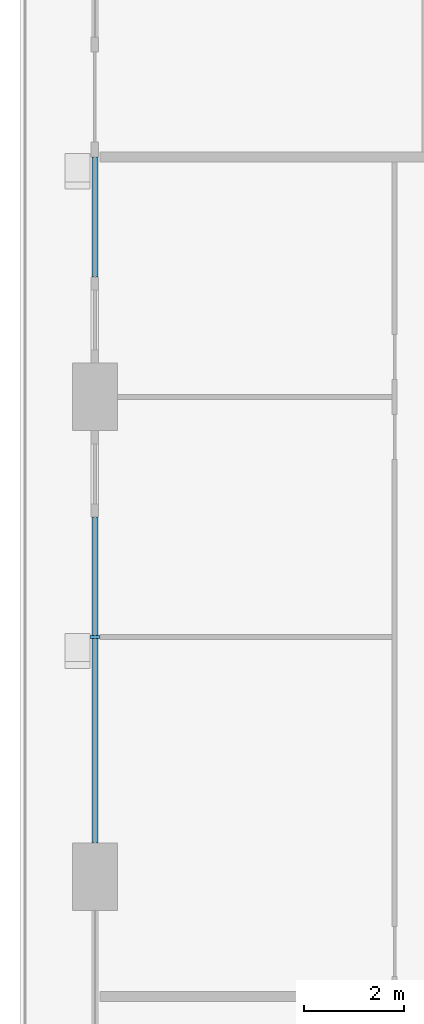
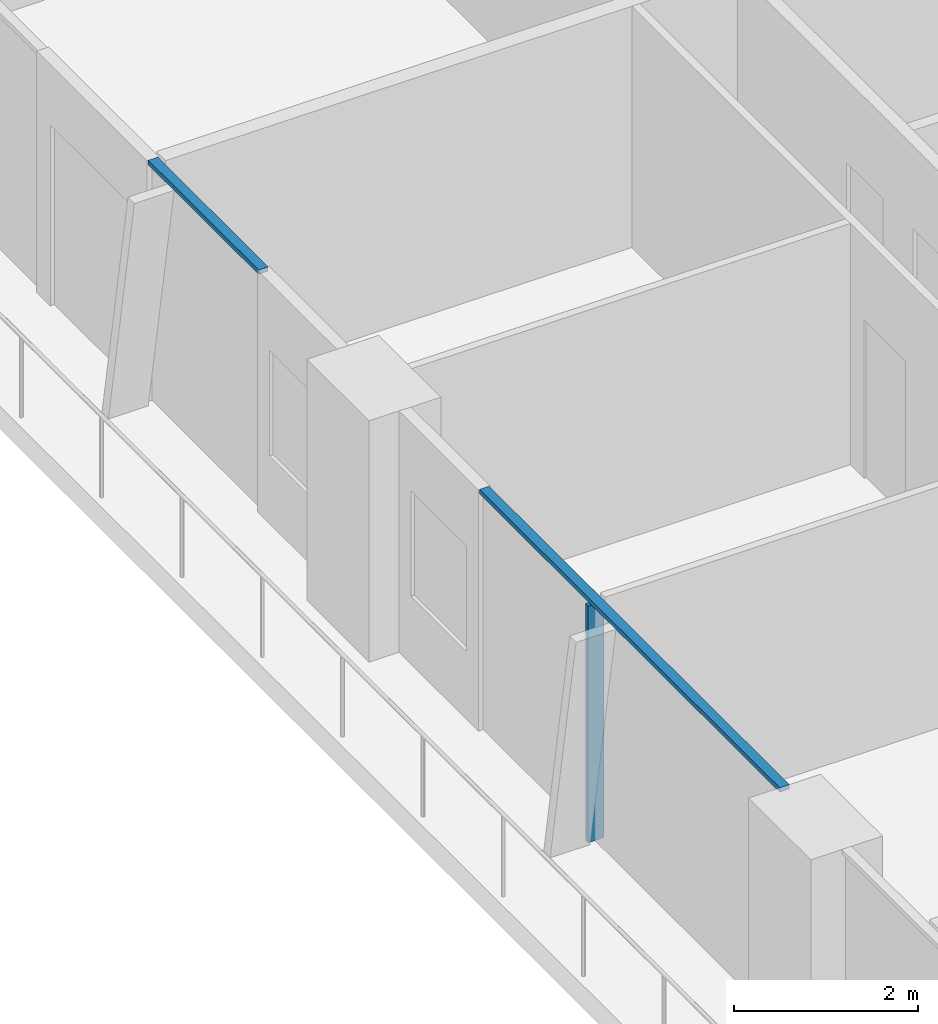
# One storey, part 3 of 21: 3 members, 2 elements without a shape of their own.
"""IFC4 building model written with IfcOpenShell, lengths in metres."""

from ifc_helpers import new_model, si_unit, direction, frame, origin, origin_2d, place, context, subcontext, project, spatial, rectangle, extrude, material, layer, layer_set, material_profile, profile_set, type_object, element, aggregate, save


model = new_model("IFC4")

# Units and contexts
model_context = context("Model", 3, precision=1e-05, world=origin(), true_north=direction((0.0, 1.0)))
body_context = subcontext(model_context, "Body", "Model", "MODEL_VIEW")
ifc_project = project(units=[si_unit("LENGTHUNIT", "METRE"), si_unit("AREAUNIT", "SQUARE_METRE"), si_unit("VOLUMEUNIT", "CUBIC_METRE"), si_unit("PLANEANGLEUNIT", "RADIAN"), si_unit("MASSUNIT", "GRAM", prefix="KILO")], contexts=[model_context])

# Site, building, storey
site_placement = place(None, origin())
site = spatial("IfcSite", under=ifc_project, at=site_placement, CompositionType="ELEMENT")
building_placement = place(site_placement, origin())
building = spatial("IfcBuilding", under=site, at=building_placement, Name="Madar Terraces", CompositionType="ELEMENT")
storey_placement = place(building_placement, frame((0.0, 0.0, 32.89990234375)))
storey = spatial("IfcBuildingStorey", under=building, at=storey_placement, Name="L07", CompositionType="ELEMENT", Elevation=32.89990234375)

# Curtain wall, member
ifc_material_1 = material(Name="Glass, ceramic frit dark grey, with black aluminium frame", Category="aluminium")
ifc_layer = layer(ifc_material_1, 0.199951171875)
ifc_layer_set = layer_set([ifc_layer], Name="Facade curtain wall, fritted glass")
curtain_wall_type = type_object("IfcCurtainWallType", Name="Facade curtain wall, fritted glass", PredefinedType="NOTDEFINED", material=ifc_layer_set)
curtain_wall_1_placement = place(storey_placement, origin())
curtain_wall_1 = element("IfcCurtainWall", 1, at=curtain_wall_1_placement, inside=storey, type_object=curtain_wall_type, Name="Outer skin curtain wall west bay 3", PredefinedType="NOTDEFINED")
ifc_material_2 = material(Name="Aluminium, black anodised", Category="aluminium")
ifc_material_profile_1 = material_profile(ifc_material_2, rectangle(XDim=0.199951171875, YDim=0.06005859375, at=origin_2d()), Name="Facade mullion 60x200")
ifc_profile_set_1 = profile_set([ifc_material_profile_1], Name="Aluminium, black anodised")
member_type_1 = type_object("IfcMemberType", Name="Facade mullion 60x200", PredefinedType="MULLION", material=ifc_profile_set_1)
member_1_placement = place(storey_placement, frame((0.0, 19.199951171875, 0.0), z_axis=(0.0, 0.0, 1.0), x_axis=(1.0, 0.0, 0.0)))
member_1 = element("IfcMember", 2, at=member_1_placement, type_object=member_type_1, Name="Mullion 1", PredefinedType="MULLION", context=body_context, shape_type="SweptSolid", body=[
    extrude(rectangle(XDim=0.199951171875, YDim=0.06005859375, at=origin_2d()), origin(), (0.0, 0.0, 1.0), 3.14013671875),
])

curtain_wall_2_placement = place(storey_placement, origin())
curtain_wall_2 = element("IfcCurtainWall", 3, at=curtain_wall_2_placement, inside=storey, type_object=curtain_wall_type, Name="Outer skin curtain wall west bay 2", PredefinedType="NOTDEFINED")
ifc_material_3 = material(Name="Aluminium, black anodised", Category="aluminium")
ifc_material_profile_2 = material_profile(ifc_material_3, rectangle(XDim=0.1201171875, YDim=0.06005859375, at=origin_2d()), Name="Facade transom 60x120")
ifc_profile_set_2 = profile_set([ifc_material_profile_2], Name="Aluminium, black anodised")
member_type_2 = type_object("IfcMemberType", Name="Facade transom 60x120", PredefinedType="USERDEFINED", material=ifc_profile_set_2)
member_2_placement = place(storey_placement, frame((0.0, 28.800048828125, 3.170166015625), z_axis=(0.0, -1.0, 0.0), x_axis=(1.0, 0.0, 0.0)))
member_2 = element("IfcMember", 4, at=member_2_placement, type_object=member_type_2, Name="Transom 2", ObjectType="TRANSOM", PredefinedType="USERDEFINED", context=body_context, shape_type="SweptSolid", body=[
    extrude(rectangle(XDim=0.1201171875, YDim=0.06005859375, at=origin_2d()), origin(), (0.0, 0.0, 1.0), 2.400146484375),
])
aggregate(curtain_wall_2, [member_2])

# Member
member_3_placement = place(storey_placement, frame((0.0, 21.60009765625, 3.170166015625), z_axis=(0.0, -1.0, 0.0), x_axis=(1.0, 0.0, 0.0)))
member_3 = element("IfcMember", 5, at=member_3_placement, type_object=member_type_2, Name="Transom 1", ObjectType="TRANSOM", PredefinedType="USERDEFINED", context=body_context, shape_type="SweptSolid", body=[
    extrude(rectangle(XDim=0.1201171875, YDim=0.06005859375, at=origin_2d()), origin(), (0.0, 0.0, 1.0), 6.525146484375),
])

aggregate(curtain_wall_1, [member_1, member_3])

save(model, "model.ifc")
